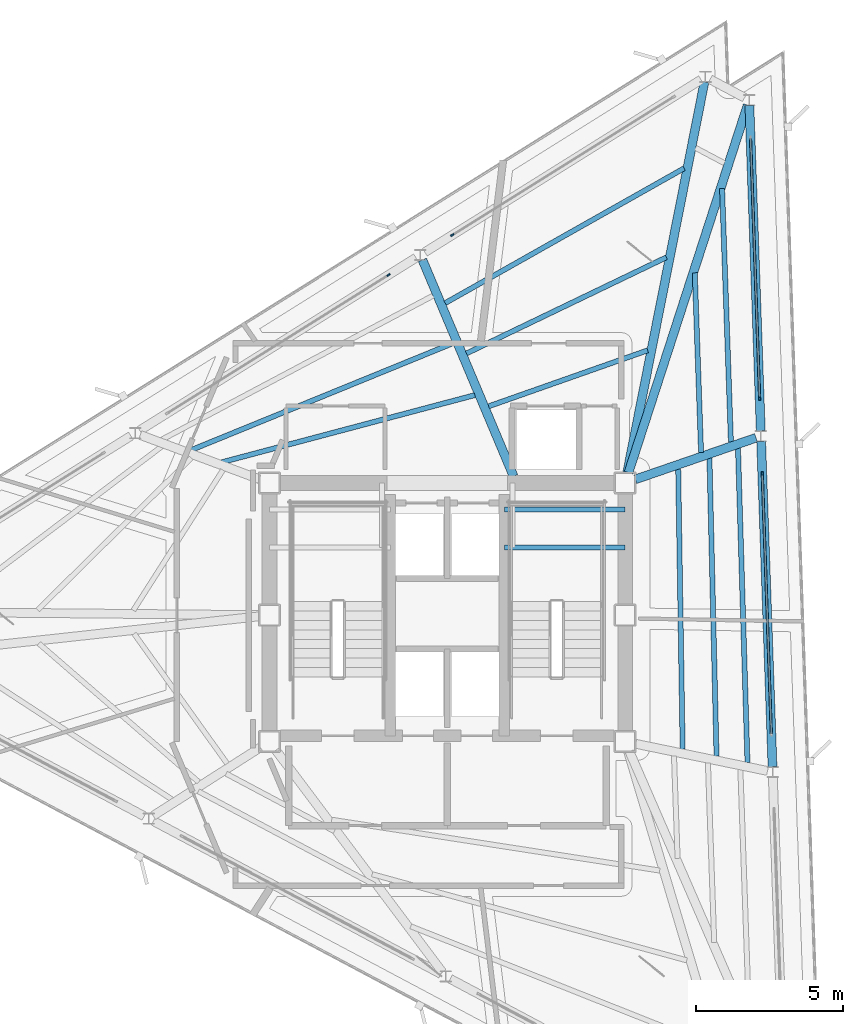
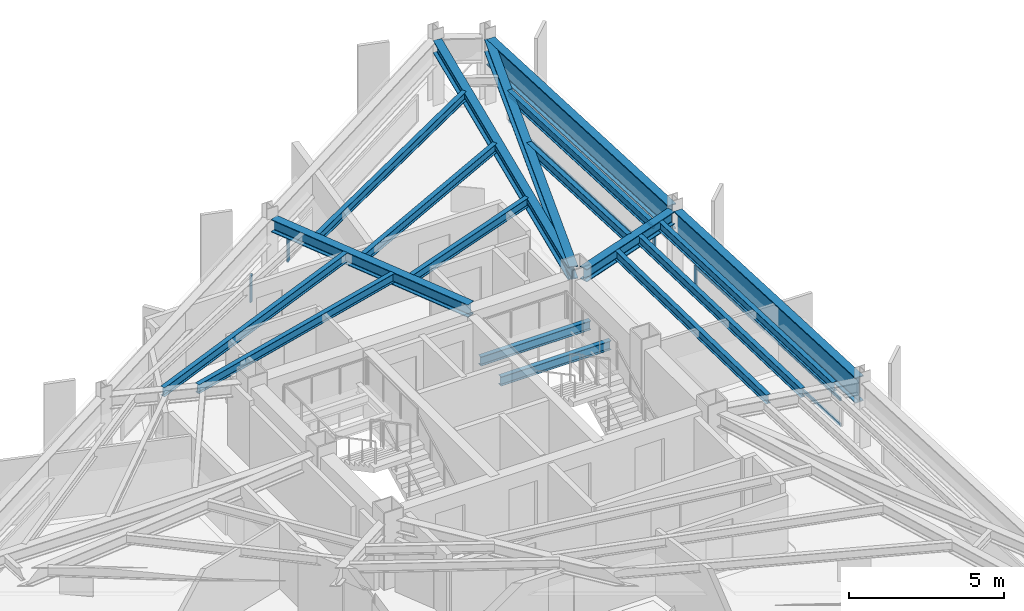
# One storey, part 5 of 13: 18 beams, 8 members, 4 elements without a shape of their own.
"""IFC4 building model written with IfcOpenShell, lengths in metres."""

from ifc_helpers import new_model, si_unit, direction, frame, origin, origin_2d, place, context, subcontext, project, spatial, rectangle, i_section, extrude, material, layer, layer_set, material_profile, profile_set, type_object, element, aggregate, save


model = new_model("IFC4")

# Units and contexts
model_context = context("Model", 3, precision=1e-05, world=origin(), true_north=direction((0.0, 1.0)))
body_context = subcontext(model_context, "Body", "Model", "MODEL_VIEW")
ifc_project = project(units=[si_unit("LENGTHUNIT", "METRE"), si_unit("AREAUNIT", "SQUARE_METRE"), si_unit("VOLUMEUNIT", "CUBIC_METRE"), si_unit("PLANEANGLEUNIT", "RADIAN"), si_unit("MASSUNIT", "GRAM", prefix="KILO")], contexts=[model_context])

# Site, building, storey
site_placement = place(None, origin())
site = spatial("IfcSite", under=ifc_project, at=site_placement, CompositionType="ELEMENT")
building_placement = place(site_placement, origin())
building = spatial("IfcBuilding", under=site, at=building_placement, Name="Rocaltana Carrier Exchange", CompositionType="ELEMENT")
storey_placement = place(building_placement, frame((0.0, 0.0, 211.840087890625)))
storey = spatial("IfcBuildingStorey", under=building, at=storey_placement, Name="L67", CompositionType="ELEMENT", Elevation=211.840087890625)

# Curtain wall, member
ifc_material_1 = material(Name="Aluminium 6063-T6", Category="aluminium")
ifc_layer = layer(ifc_material_1, 0.1201171875)
ifc_layer_set = layer_set([ifc_layer], Name="Aluminium 6063-T6")
curtain_wall_type = type_object("IfcCurtainWallType", Name="High-Altitude Thermal Curtain Wall CW-05", PredefinedType="NOTDEFINED", material=ifc_layer_set)
curtain_wall_1_placement = place(storey_placement, origin())
curtain_wall_1 = element("IfcCurtainWall", 1, at=curtain_wall_1_placement, inside=storey, type_object=curtain_wall_type, Name="L67 CW-05 Run CW-L67-F1S2", PredefinedType="NOTDEFINED")
ifc_material_2 = material(Name="Aluminium 6063-T6", Category="aluminium")
ifc_material_profile_1 = material_profile(ifc_material_2, rectangle(XDim=0.06005859375, YDim=0.1201171875, at=origin_2d()), Name="AL-60X120")
ifc_profile_set_1 = profile_set([ifc_material_profile_1], Name="Aluminium 6063-T6")
member_type_1 = type_object("IfcMemberType", Name="CW-05 Mullion AL-60X120", PredefinedType="MULLION", material=ifc_profile_set_1)
member_1_placement = place(storey_placement, frame((10.712890625, 4.8134765625, 0.0), z_axis=(0.0, 0.0, 1.0), x_axis=(-0.999390720156, -0.034902556738, 0.0)))
member_1 = element("IfcMember", 2, at=member_1_placement, type_object=member_type_1, Name="CW-05 mullion 2", PredefinedType="MULLION", context=body_context, shape_type="SweptSolid", body=[
    extrude(rectangle(XDim=0.06005859375, YDim=0.1201171875, at=origin_2d()), origin(), (0.0, 0.0, 1.0), 1.077880859375),
])

curtain_wall_2_placement = place(storey_placement, origin())
curtain_wall_2 = element("IfcCurtainWall", 3, at=curtain_wall_2_placement, inside=storey, type_object=curtain_wall_type, Name="L67 CW-05 Run CW-L67-F1S3", PredefinedType="NOTDEFINED")
member_2_placement = place(storey_placement, frame((10.62353515625, 7.371826171875, 0.0), z_axis=(0.0, 0.0, 1.0), x_axis=(-0.999390720156, -0.034902556738, 0.0)))
member_2 = element("IfcMember", 4, at=member_2_placement, type_object=member_type_1, Name="CW-05 mullion 1", PredefinedType="MULLION", context=body_context, shape_type="SweptSolid", body=[
    extrude(rectangle(XDim=0.06005859375, YDim=0.1201171875, at=origin_2d()), origin(), (0.0, 0.0, 1.0), 1.077880859375),
])

curtain_wall_3_placement = place(storey_placement, origin())
curtain_wall_3 = element("IfcCurtainWall", 5, at=curtain_wall_3_placement, inside=storey, type_object=curtain_wall_type, Name="L67 CW-05 Run CW-L67-F2S1", PredefinedType="NOTDEFINED")
member_3_placement = place(storey_placement, frame((0.171142578125, 12.9296875, 0.0), z_axis=(0.0, 0.0, 1.0), x_axis=(0.529928503412, -0.848042322807, 0.0)))
member_3 = element("IfcMember", 6, at=member_3_placement, type_object=member_type_1, Name="CW-05 mullion 2", PredefinedType="MULLION", context=body_context, shape_type="SweptSolid", body=[
    extrude(rectangle(XDim=0.06005859375, YDim=0.1201171875, at=origin_2d()), origin(), (0.0, 0.0, 1.0), 1.077880859375),
])
aggregate(curtain_wall_3, [member_3])

curtain_wall_4_placement = place(storey_placement, origin())
curtain_wall_4 = element("IfcCurtainWall", 7, at=curtain_wall_4_placement, inside=storey, type_object=curtain_wall_type, Name="L67 CW-05 Run CW-L67-F2S2", PredefinedType="NOTDEFINED")
member_4_placement = place(storey_placement, frame((-2.0, 11.572998046875, 0.0), z_axis=(0.0, 0.0, 1.0), x_axis=(0.529920452816, -0.848047353446, 0.0)))
member_4 = element("IfcMember", 8, at=member_4_placement, type_object=member_type_1, Name="CW-05 mullion 1", PredefinedType="MULLION", context=body_context, shape_type="SweptSolid", body=[
    extrude(rectangle(XDim=0.06005859375, YDim=0.1201171875, at=origin_2d()), origin(), (0.0, 0.0, 1.0), 1.077880859375),
])
aggregate(curtain_wall_4, [member_4])

# Member
ifc_material_3 = material(Name="Aluminium 6063-T6", Category="aluminium")
ifc_material_profile_2 = material_profile(ifc_material_3, rectangle(XDim=0.06005859375, YDim=0.1201171875, at=origin_2d()), Name="AL-60X120")
ifc_profile_set_2 = profile_set([ifc_material_profile_2], Name="Aluminium 6063-T6")
member_type_2 = type_object("IfcMemberType", Name="CW-05 Transom AL-60X120", PredefinedType="USERDEFINED", material=ifc_profile_set_2)
member_5_placement = place(storey_placement, frame((11.021484375, -4.024658203125, 0.030029296875), z_axis=(-0.034903051323, 0.999390702883, 0.0), x_axis=(-0.999390702883, -0.034903051323, 0.0)))
member_5 = element("IfcMember", 9, at=member_5_placement, type_object=member_type_2, Name="CW-05 transom 1.1", ObjectType="TRANSOM", PredefinedType="USERDEFINED", context=body_context, shape_type="SweptSolid", body=[
    extrude(rectangle(XDim=0.06005859375, YDim=0.1201171875, at=origin_2d()), origin(), (0.0, 0.0, 1.0), 8.8134765625),
])

member_6_placement = place(storey_placement, frame((11.021484375, -4.024658203125, 1.0478515625), z_axis=(-0.034903051323, 0.999390702883, 0.0), x_axis=(-0.999390702883, -0.034903051323, 0.0)))
member_6 = element("IfcMember", 10, at=member_6_placement, type_object=member_type_2, Name="CW-05 transom 1.2", ObjectType="TRANSOM", PredefinedType="USERDEFINED", context=body_context, shape_type="SweptSolid", body=[
    extrude(rectangle(XDim=0.06005859375, YDim=0.1201171875, at=origin_2d()), origin(), (0.0, 0.0, 1.0), 8.8134765625),
])

aggregate(curtain_wall_1, [member_1, member_5, member_6])

member_7_placement = place(storey_placement, frame((10.62255859375, 7.40185546875, 0.030029296875), z_axis=(-0.034903051323, 0.999390702883, 0.0), x_axis=(-0.999390702883, -0.034903051323, 0.0)))
member_7 = element("IfcMember", 11, at=member_7_placement, type_object=member_type_2, Name="CW-05 transom 1.1", ObjectType="TRANSOM", PredefinedType="USERDEFINED", context=body_context, shape_type="SweptSolid", body=[
    extrude(rectangle(XDim=0.06005859375, YDim=0.1201171875, at=origin_2d()), origin(), (0.0, 0.0, 1.0), 8.8134765625),
])

member_8_placement = place(storey_placement, frame((10.62255859375, 7.40185546875, 1.0478515625), z_axis=(-0.034903051323, 0.999390702883, 0.0), x_axis=(-0.999390702883, -0.034903051323, 0.0)))
member_8 = element("IfcMember", 12, at=member_8_placement, type_object=member_type_2, Name="CW-05 transom 1.2", ObjectType="TRANSOM", PredefinedType="USERDEFINED", context=body_context, shape_type="SweptSolid", body=[
    extrude(rectangle(XDim=0.06005859375, YDim=0.1201171875, at=origin_2d()), origin(), (0.0, 0.0, 1.0), 8.8134765625),
])

aggregate(curtain_wall_2, [member_2, member_7, member_8])

# Beams
ifc_material_4 = material(Name="Steel S355", Category="steel")
ifc_material_profile_3 = material_profile(ifc_material_4, i_section(OverallWidth=0.172119140625, OverallDepth=0.35791015625, WebThickness=0.0078125, FlangeThickness=0.01318359375, FilletRadius=0.011962890625, at=origin_2d()), Name="W14X38")
ifc_profile_set_3 = profile_set([ifc_material_profile_3], Name="Steel S355")
beam_type_1 = type_object("IfcBeamType", Name="Floor Joist W14X38", PredefinedType="JOIST", material=ifc_profile_set_3)
for number, where, z_axis, x_axis, name in (
    (13, (1.93994140625, 2.300048828125, 1.140869140625), (1.0, 0.0, 0.0), (0.0, 1.0, 0.0), "L67 ST-2 Landing Carrier 1"),
    (14, (1.93994140625, 3.60009765625, 1.140869140625), (1.0, 0.0, 0.0), (0.0, 1.0, 0.0), "L67 ST-2 Landing Carrier 2"),
):
    element("IfcBeam", number, at=place(storey_placement, frame(where, z_axis=z_axis, x_axis=x_axis)), inside=storey, type_object=beam_type_1, Name=name, PredefinedType="JOIST", context=body_context, shape_type="SweptSolid", body=[
        extrude(i_section(OverallWidth=0.172119140625, OverallDepth=0.35791015625, WebThickness=0.0078125, FlangeThickness=0.01318359375, FilletRadius=0.011962890625, at=origin_2d()), origin(), (0.0, 0.0, 1.0), 4.110107421875),
    ])
beam_1_placement = place(storey_placement, frame((8.00439453125, -4.55908203125, 2.43896484375), z_axis=(-0.015819427731, 0.999874865024, 0.0), x_axis=(-0.999874865024, -0.015819427731, 0.0)))
element("IfcBeam", 15, at=beam_1_placement, inside=storey, type_object=beam_type_1, Name="FJ-L67-02-1", PredefinedType="JOIST", context=body_context, shape_type="SweptSolid", body=[
    extrude(i_section(OverallWidth=0.172119140625, OverallDepth=0.35791015625, WebThickness=0.0078125, FlangeThickness=0.01318359375, FilletRadius=0.011962890625, at=origin_2d()), origin(), (0.0, 0.0, 1.0), 9.53759765625),
])
beam_2_placement = place(storey_placement, frame((9.1572265625, -4.796875, 2.43896484375), z_axis=(-0.023708273398, 0.999718919383, 0.0), x_axis=(-0.999718919383, -0.023708273398, 0.0)))
element("IfcBeam", 16, at=beam_2_placement, inside=storey, type_object=beam_type_1, Name="FJ-L67-02-2", PredefinedType="JOIST", context=body_context, shape_type="SweptSolid", body=[
    extrude(i_section(OverallWidth=0.172119140625, OverallDepth=0.35791015625, WebThickness=0.0078125, FlangeThickness=0.01318359375, FilletRadius=0.011962890625, at=origin_2d()), origin(), (0.0, 0.0, 1.0), 10.143310546875),
])
beam_3_placement = place(storey_placement, frame((10.2099609375, -5.013916015625, 2.43896484375), z_axis=(-0.030150236213, 0.999545378288, 0.0), x_axis=(-0.999545378288, -0.030150236213, 0.0)))
element("IfcBeam", 17, at=beam_3_placement, inside=storey, type_object=beam_type_1, Name="FJ-L67-02-3", PredefinedType="JOIST", context=body_context, shape_type="SweptSolid", body=[
    extrude(i_section(OverallWidth=0.172119140625, OverallDepth=0.35791015625, WebThickness=0.0078125, FlangeThickness=0.01318359375, FilletRadius=0.011962890625, at=origin_2d()), origin(), (0.0, 0.0, 1.0), 10.69677734375),
])
beam_4_placement = place(storey_placement, frame((8.631103515625, 5.535888671875, 2.43896484375), z_axis=(-0.034896830371, 0.999390920126, 0.0), x_axis=(-0.999390920126, -0.034896830371, 0.0)))
element("IfcBeam", 18, at=beam_4_placement, inside=storey, type_object=beam_type_1, Name="FJ-L67-03-2", PredefinedType="JOIST", context=body_context, shape_type="SweptSolid", body=[
    extrude(i_section(OverallWidth=0.172119140625, OverallDepth=0.35791015625, WebThickness=0.0078125, FlangeThickness=0.01318359375, FilletRadius=0.011962890625, at=origin_2d()), origin(), (0.0, 0.0, 1.0), 6.114501953125),
])
beam_5_placement = place(storey_placement, frame((9.647216796875, 5.88623046875, 2.43896484375), z_axis=(-0.034909498386, 0.999390477703, 0.0), x_axis=(-0.999390477703, -0.034909498386, 0.0)))
element("IfcBeam", 19, at=beam_5_placement, inside=storey, type_object=beam_type_1, Name="FJ-L67-03-3", PredefinedType="JOIST", context=body_context, shape_type="SweptSolid", body=[
    extrude(i_section(OverallWidth=0.172119140625, OverallDepth=0.35791015625, WebThickness=0.0078125, FlangeThickness=0.01318359375, FilletRadius=0.011962890625, at=origin_2d()), origin(), (0.0, 0.0, 1.0), 8.630126953125),
])
beam_6_placement = place(storey_placement, frame((6.815673828125, 9.009521484375, 2.43896484375), z_axis=(-0.943243231167, -0.332102705285, 0.0), x_axis=(0.332102705285, -0.943243231167, 0.0)))
element("IfcBeam", 20, at=beam_6_placement, inside=storey, type_object=beam_type_1, Name="FJ-L67-05-1", PredefinedType="JOIST", context=body_context, shape_type="SweptSolid", body=[
    extrude(i_section(OverallWidth=0.172119140625, OverallDepth=0.35791015625, WebThickness=0.0078125, FlangeThickness=0.01318359375, FilletRadius=0.011962890625, at=origin_2d()), origin(), (0.0, 0.0, 1.0), 5.732666015625),
])
beam_7_placement = place(storey_placement, frame((7.449951171875, 12.17138671875, 2.43896484375), z_axis=(-0.90125874398, -0.433281290155, 0.0), x_axis=(0.433281290155, -0.90125874398, 0.0)))
element("IfcBeam", 21, at=beam_7_placement, inside=storey, type_object=beam_type_1, Name="FJ-L67-05-2", PredefinedType="JOIST", context=body_context, shape_type="SweptSolid", body=[
    extrude(i_section(OverallWidth=0.172119140625, OverallDepth=0.35791015625, WebThickness=0.0078125, FlangeThickness=0.01318359375, FilletRadius=0.011962890625, at=origin_2d()), origin(), (0.0, 0.0, 1.0), 7.543212890625),
])
beam_8_placement = place(storey_placement, frame((8.05517578125, 15.201171875, 2.43896484375), z_axis=(-0.870951476943, -0.491369031187, 0.0), x_axis=(0.491369031187, -0.870951476943, 0.0)))
element("IfcBeam", 22, at=beam_8_placement, inside=storey, type_object=beam_type_1, Name="FJ-L67-05-3", PredefinedType="JOIST", context=body_context, shape_type="SweptSolid", body=[
    extrude(i_section(OverallWidth=0.172119140625, OverallDepth=0.35791015625, WebThickness=0.0078125, FlangeThickness=0.01318359375, FilletRadius=0.011962890625, at=origin_2d()), origin(), (0.0, 0.0, 1.0), 9.330078125),
])
beam_9_placement = place(storey_placement, frame((0.937744140625, 7.486083984375, 2.43896484375), z_axis=(-0.966555608165, -0.256457123756, 0.0), x_axis=(0.256457123756, -0.966555608165, 0.0)))
element("IfcBeam", 23, at=beam_9_placement, inside=storey, type_object=beam_type_1, Name="FJ-L67-06-1", PredefinedType="JOIST", context=body_context, shape_type="SweptSolid", body=[
    extrude(i_section(OverallWidth=0.172119140625, OverallDepth=0.35791015625, WebThickness=0.0078125, FlangeThickness=0.01318359375, FilletRadius=0.011962890625, at=origin_2d()), origin(), (0.0, 0.0, 1.0), 8.92578125),
])
beam_10_placement = place(storey_placement, frame((0.192626953125, 9.25146484375, 2.43896484375), z_axis=(-0.925846018296, -0.37790097963, 0.0), x_axis=(0.37790097963, -0.925846018296, 0.0)))
element("IfcBeam", 24, at=beam_10_placement, inside=storey, type_object=beam_type_1, Name="FJ-L67-06-2", PredefinedType="JOIST", context=body_context, shape_type="SweptSolid", body=[
    extrude(i_section(OverallWidth=0.172119140625, OverallDepth=0.35791015625, WebThickness=0.0078125, FlangeThickness=0.01318359375, FilletRadius=0.011962890625, at=origin_2d()), origin(), (0.0, 0.0, 1.0), 9.652587890625),
])
ifc_material_5 = material(Name="Steel S460", Category="steel")
ifc_material_profile_4 = material_profile(ifc_material_5, i_section(OverallWidth=0.302001953125, OverallDepth=1.008056640625, WebThickness=0.02099609375, FlangeThickness=0.0400390625, FilletRadius=0.030029296875, at=origin_2d()), Name="HEM1000")
ifc_profile_set_4 = profile_set([ifc_material_profile_4], Name="Steel S460")
beam_type_2 = type_object("IfcBeamType", Name="Transfer Ring Girder HEM1000", PredefinedType="USERDEFINED", material=ifc_profile_set_4)
beam_11_placement = place(storey_placement, frame((11.060791015625, -5.154296875, 2.114013671875), z_axis=(-0.03487608544, 0.999391644284, 0.0), x_axis=(-0.999391644284, -0.03487608544, 0.0)))
element("IfcBeam", 25, at=beam_11_placement, inside=storey, type_object=beam_type_2, Name="SP-L67-02", ObjectType="TRANSFER GIRDER", PredefinedType="USERDEFINED", context=body_context, shape_type="SweptSolid", body=[
    extrude(i_section(OverallWidth=0.302001953125, OverallDepth=1.008056640625, WebThickness=0.02099609375, FlangeThickness=0.0400390625, FilletRadius=0.030029296875, at=origin_2d()), origin(), (0.0, 0.0, 1.0), 11.074462890625),
])
beam_12_placement = place(storey_placement, frame((10.661865234375, 6.272216796875, 2.114013671875), z_axis=(-0.034898873062, 0.999390848797, 0.0), x_axis=(-0.999390848797, -0.034898873062, 0.0)))
element("IfcBeam", 26, at=beam_12_placement, inside=storey, type_object=beam_type_2, Name="SP-L67-03", ObjectType="TRANSFER GIRDER", PredefinedType="USERDEFINED", context=body_context, shape_type="SweptSolid", body=[
    extrude(i_section(OverallWidth=0.302001953125, OverallDepth=1.008056640625, WebThickness=0.02099609375, FlangeThickness=0.0400390625, FilletRadius=0.030029296875, at=origin_2d()), origin(), (0.0, 0.0, 1.0), 11.07421875),
])
ifc_material_6 = material(Name="Steel S355", Category="steel")
ifc_material_profile_5 = material_profile(ifc_material_6, i_section(OverallWidth=0.300048828125, OverallDepth=0.5, WebThickness=0.014404296875, FlangeThickness=0.028076171875, FilletRadius=0.027099609375, at=origin_2d()), Name="HEB500")
ifc_profile_set_5 = profile_set([ifc_material_profile_5], Name="Steel S355")
beam_type_3 = type_object("IfcBeamType", Name="Upper Radial Girder HEB500", PredefinedType="BEAM", material=ifc_profile_set_5)
beam_13_placement = place(storey_placement, frame((6.39697265625, 4.61962890625, 2.367919921875), z_axis=(0.945357432696, 0.326035771729, 0.0), x_axis=(-0.326035771729, 0.945357432696, 0.0)))
element("IfcBeam", 27, at=beam_13_placement, inside=storey, type_object=beam_type_3, Name="RG-L67-03", PredefinedType="BEAM", context=body_context, shape_type="SweptSolid", body=[
    extrude(i_section(OverallWidth=0.300048828125, OverallDepth=0.5, WebThickness=0.014404296875, FlangeThickness=0.028076171875, FilletRadius=0.027099609375, at=origin_2d()), origin(), (0.0, 0.0, 1.0), 4.338623046875),
])
beam_14_placement = place(storey_placement, frame((6.1630859375, 4.84912109375, 2.367919921875), z_axis=(0.308295669882, 0.951290586484, 0.0), x_axis=(-0.951290586484, 0.308295669882, 0.0)))
element("IfcBeam", 28, at=beam_14_placement, inside=storey, type_object=beam_type_3, Name="RG-L67-04", PredefinedType="BEAM", context=body_context, shape_type="SweptSolid", body=[
    extrude(i_section(OverallWidth=0.300048828125, OverallDepth=0.5, WebThickness=0.014404296875, FlangeThickness=0.028076171875, FilletRadius=0.027099609375, at=origin_2d()), origin(), (0.0, 0.0, 1.0), 13.13916015625),
])
beam_15_placement = place(storey_placement, frame((6.12109375, 4.860107421875, 2.367919921875), z_axis=(0.19403381503, 0.980994841284, 0.0), x_axis=(-0.980994841284, 0.19403381503, 0.0)))
element("IfcBeam", 29, at=beam_15_placement, inside=storey, type_object=beam_type_3, Name="RG-L67-05", PredefinedType="BEAM", context=body_context, shape_type="SweptSolid", body=[
    extrude(i_section(OverallWidth=0.300048828125, OverallDepth=0.5, WebThickness=0.014404296875, FlangeThickness=0.028076171875, FilletRadius=0.027099609375, at=origin_2d()), origin(), (0.0, 0.0, 1.0), 13.531005859375),
])
beam_16_placement = place(storey_placement, frame((2.256103515625, 4.722900390625, 2.367919921875), z_axis=(-0.388121207537, 0.921608337777, 0.0), x_axis=(-0.921608337777, -0.388121207537, 0.0)))
element("IfcBeam", 30, at=beam_16_placement, inside=storey, type_object=beam_type_3, Name="RG-L67-06", PredefinedType="BEAM", context=body_context, shape_type="SweptSolid", body=[
    extrude(i_section(OverallWidth=0.300048828125, OverallDepth=0.5, WebThickness=0.014404296875, FlangeThickness=0.028076171875, FilletRadius=0.027099609375, at=origin_2d()), origin(), (0.0, 0.0, 1.0), 7.9892578125),
])

save(model, "model.ifc")
